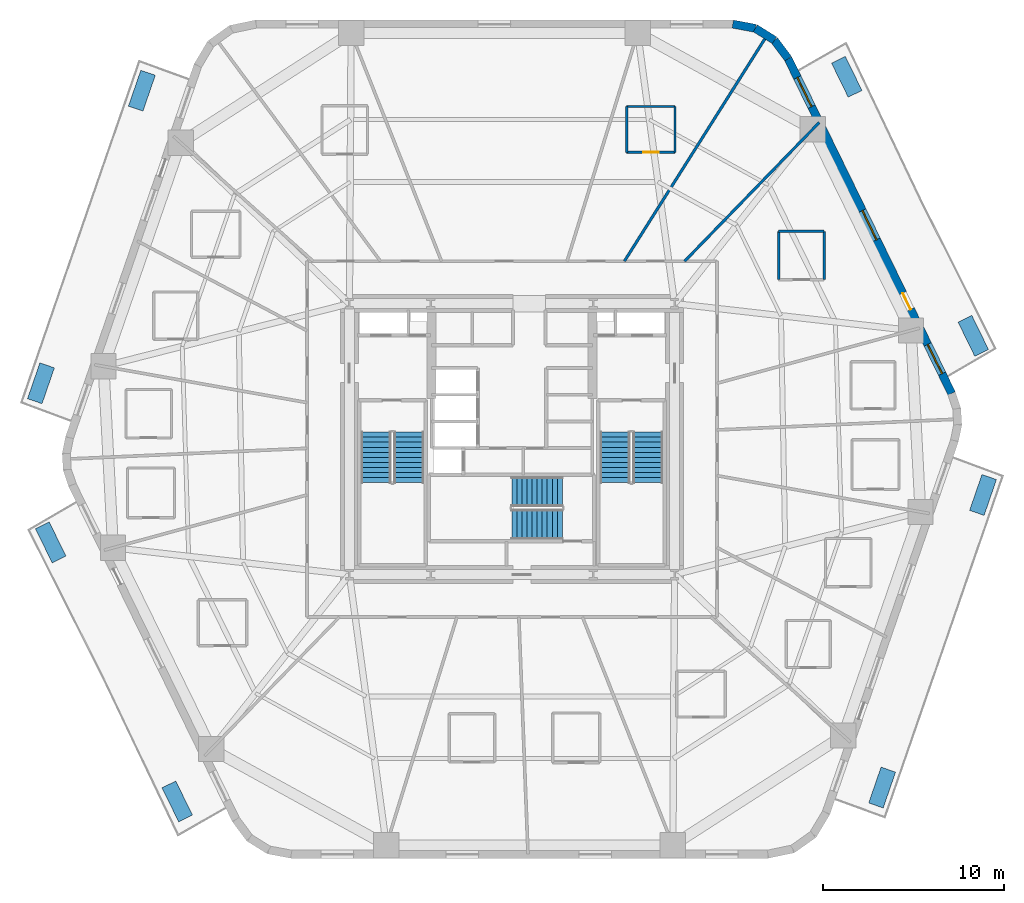
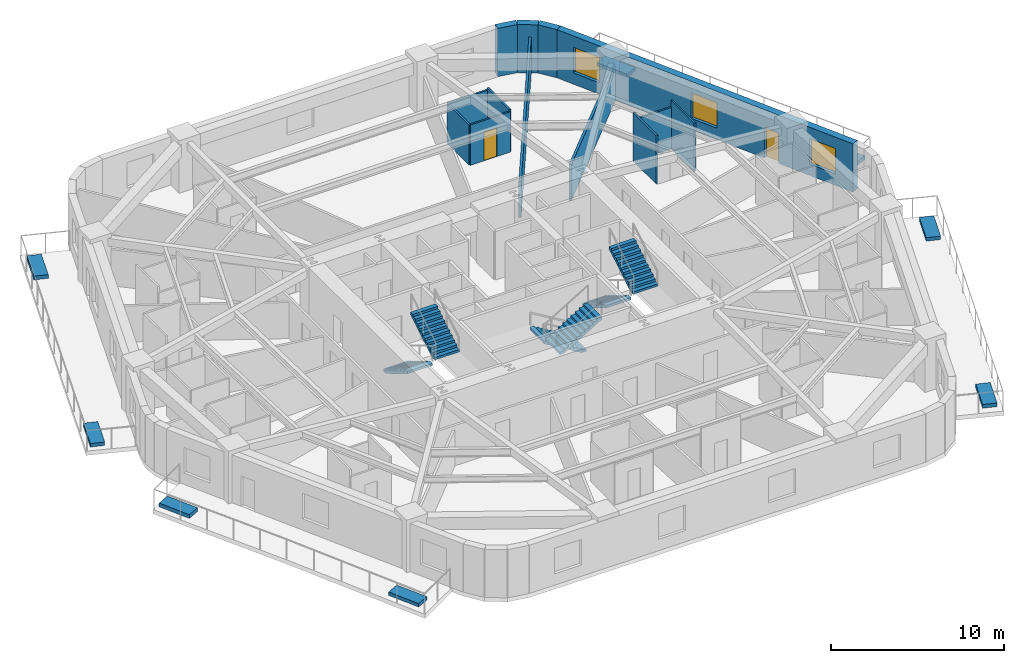
# One storey, part 7 of 10: 13 walls, 8 discrete accessories, 6 stair flights, 3 windows, 2 doors, 5 openings, 3 elements without a shape of their own.
"""IFC4 building model written with IfcOpenShell, lengths in metres."""

from ifc_helpers import new_model, si_unit, direction, frame, frame_2d, origin, origin_2d, place, context, subcontext, project, spatial, polyline, rectangle, outline, extrude, material, layer, layer_set, type_object, element, fill, aggregate, save


model = new_model("IFC4")

# Units and contexts
model_context = context("Model", 3, precision=1e-05, world=origin(), true_north=direction((0.0, 1.0)))
body_context = subcontext(model_context, "Body", "Model", "MODEL_VIEW")
ifc_project = project(units=[si_unit("LENGTHUNIT", "METRE"), si_unit("AREAUNIT", "SQUARE_METRE"), si_unit("VOLUMEUNIT", "CUBIC_METRE"), si_unit("PLANEANGLEUNIT", "RADIAN"), si_unit("MASSUNIT", "GRAM", prefix="KILO")], contexts=[model_context])

# Site, building, storey
site_placement = place(None, origin())
site = spatial("IfcSite", under=ifc_project, at=site_placement, CompositionType="ELEMENT")
building_placement = place(site_placement, origin())
building = spatial("IfcBuilding", under=site, at=building_placement, Name="Kilnhurst Terrace Hotel", CompositionType="ELEMENT")
storey_placement = place(building_placement, frame((0.0, 0.0, 52.699951171875)))
storey = spatial("IfcBuildingStorey", under=building, at=storey_placement, Name="L11", CompositionType="ELEMENT", Elevation=52.699951171875)

# Walls
ifc_material_1 = material(Name="Precast concrete C40/50", Category="concrete")
ifc_layer_1 = layer(ifc_material_1, 0.449951171875, Name="Precast concrete C40/50")
ifc_layer_set_1 = layer_set([ifc_layer_1], Name="Precast concrete C40/50")
wall_type_1 = type_object("IfcWallType", Name="WL-BRK-450", PredefinedType="SOLIDWALL", material=ifc_layer_set_1)
wall_1_placement = place(storey_placement, frame((15.28369140625, 21.0625, 0.0), z_axis=(0.0, 0.0, 1.0), x_axis=(-0.597595366449, 0.801797841104, 0.0)))
element("IfcWall", 1, at=wall_1_placement, inside=storey, type_object=wall_type_1, Name="L11 Rounded Corner Brick Wall C4.1", PredefinedType="SOLIDWALL", context=body_context, shape_type="SweptSolid", body=[
    extrude(rectangle(XDim=1.2685546875, YDim=0.449951171875, at=frame_2d((0.63427734375, 0.0))), origin(), (0.0, 0.0, 1.0), 3.400146484375),
])
wall_2_placement = place(storey_placement, frame((14.525634765625, 22.07958984375, 0.0), z_axis=(0.0, 0.0, 1.0), x_axis=(-0.848185203596, 0.529699783275, 0.0)))
element("IfcWall", 2, at=wall_2_placement, inside=storey, type_object=wall_type_1, Name="L11 Rounded Corner Brick Wall C4.2", PredefinedType="SOLIDWALL", context=body_context, shape_type="SweptSolid", body=[
    extrude(rectangle(XDim=1.247314453125, YDim=0.449951171875, at=frame_2d((0.62353515625, 0.0))), origin(), (0.0, 0.0, 1.0), 3.400146484375),
])
wall_3_placement = place(storey_placement, frame((13.4677734375, 22.740234375, 0.0), z_axis=(0.0, 0.0, 1.0), x_axis=(-0.982717174228, 0.185113358451, 0.0)))
element("IfcWall", 3, at=wall_3_placement, inside=storey, type_object=wall_type_1, Name="L11 Rounded Corner Brick Wall C4.3", PredefinedType="SOLIDWALL", context=body_context, shape_type="SweptSolid", body=[
    extrude(rectangle(XDim=1.268798828125, YDim=0.449951171875, at=frame_2d((0.63427734375, 0.0))), origin(), (0.0, 0.0, 1.0), 3.400146484375),
])

# Wall, openings, door, windows
wall_4_placement = place(storey_placement, frame((24.335693359375, 2.532470703125, 0.0), z_axis=(0.0, 0.0, 1.0), x_axis=(-0.438931326393, 0.898520612291, 0.0)))
wall_4 = element("IfcWall", 4, at=wall_4_placement, inside=storey, type_object=wall_type_1, Name="L11 Exterior Brick Facade Wall F3", PredefinedType="SOLIDWALL", context=body_context, shape_type="SweptSolid", body=[
    extrude(rectangle(XDim=20.622802734375, YDim=0.449951171875, at=frame_2d((10.3115234375, 0.0))), origin(), (0.0, 0.0, 1.0), 3.400146484375),
])
opening_1_placement = place(wall_4_placement, frame((5.1708984375, 0.0, 0.0)))
opening_1 = element("IfcOpeningElement", 5, at=opening_1_placement, cuts=wall_4, Name="Opening BD-1000", PredefinedType="OPENING", context=body_context, shape_type="SweptSolid", body=[
    extrude(rectangle(XDim=1.0, YDim=2.14990234375, at=frame_2d((0.5, 1.074951171875))), frame((0.0, 0.23486328125, 0.0), z_axis=(0.0, -1.0, 0.0), x_axis=(1.0, 0.0, 0.0)), (0.0, 0.0, 1.0), 0.469970703125),
])
opening_2_placement = place(wall_4_placement, frame((1.214111328125, 0.0, 0.800048828125)))
opening_2 = element("IfcOpeningElement", 6, at=opening_2_placement, cuts=wall_4, Name="Opening W-01", PredefinedType="OPENING", context=body_context, shape_type="SweptSolid", body=[
    extrude(rectangle(XDim=1.800048828125, YDim=1.800048828125, at=frame_2d((0.89990234375, 0.89990234375))), frame((0.0, 0.23486328125, 0.0), z_axis=(0.0, -1.0, 0.0), x_axis=(1.0, 0.0, 0.0)), (0.0, 0.0, 1.0), 0.469970703125),
])
opening_3_placement = place(wall_4_placement, frame((9.4619140625, 0.0, 0.800048828125)))
opening_3 = element("IfcOpeningElement", 7, at=opening_3_placement, cuts=wall_4, Name="Opening W-01", PredefinedType="OPENING", context=body_context, shape_type="SweptSolid", body=[
    extrude(rectangle(XDim=1.800048828125, YDim=1.800048828125, at=frame_2d((0.89990234375, 0.89990234375))), frame((0.0, 0.23486328125, 0.0), z_axis=(0.0, -1.0, 0.0), x_axis=(1.0, 0.0, 0.0)), (0.0, 0.0, 1.0), 0.469970703125),
])
opening_4_placement = place(wall_4_placement, frame((17.659912109375, 0.0, 0.800048828125)))
opening_4 = element("IfcOpeningElement", 8, at=opening_4_placement, cuts=wall_4, Name="Opening W-01", PredefinedType="OPENING", context=body_context, shape_type="SweptSolid", body=[
    extrude(rectangle(XDim=1.800048828125, YDim=1.800048828125, at=frame_2d((0.89990234375, 0.89990234375))), frame((0.0, 0.23486328125, 0.0), z_axis=(0.0, -1.0, 0.0), x_axis=(1.0, 0.0, 0.0)), (0.0, 0.0, 1.0), 0.469970703125),
])
ifc_material_2 = material(Name="Thermally Broken Bronze Aluminium Alloy 6063-T6 and Laminated Glass", Category="aluminium")
door_type_1 = type_object("IfcDoorType", Name="DR-EXT-BAL-1000", OperationType="NOTDEFINED", PredefinedType="DOOR", material=ifc_material_2)
door_1_placement = place(opening_1_placement, origin())
door_1 = element("IfcDoor", 9, at=door_1_placement, inside=storey, type_object=door_type_1, Name="L11 Planted Balcony Door BAL-L1B", OperationType="SINGLE_SWING_LEFT", OverallHeight=2.14990234375, OverallWidth=1.0, PredefinedType="DOOR", context=body_context, shape_type="SweptSolid", body=[
    extrude(rectangle(XDim=1.0, YDim=2.14990234375, at=frame_2d((0.5, 1.074951171875))), frame((0.0, 0.02490234375, 0.0), z_axis=(0.0, -1.0, 0.0), x_axis=(1.0, 0.0, 0.0)), (0.0, 0.0, 1.0), 0.050048828125),
])
fill(opening_1, door_1)
ifc_material_3 = material(Name="Thermally Broken Bronze Aluminium Alloy 6063-T6 and Low-E Glass", Category="aluminium")
window_type = type_object("IfcWindowType", Name="WIN-1800X1800", PartitioningType="SINGLE_PANEL", PredefinedType="WINDOW", material=ifc_material_3)
window_1_placement = place(opening_2_placement, origin())
window_1 = element("IfcWindow", 10, at=window_1_placement, inside=storey, type_object=window_type, Name="L11 Deep-Set Masonry Window F3.1", OverallHeight=1.800048828125, OverallWidth=1.800048828125, PartitioningType="SINGLE_PANEL", PredefinedType="WINDOW", context=body_context, shape_type="SweptSolid", body=[
    extrude(rectangle(XDim=1.800048828125, YDim=1.800048828125, at=frame_2d((0.89990234375, 0.89990234375))), frame((0.0, 0.030029296875, 0.0), z_axis=(0.0, -1.0, 0.0), x_axis=(1.0, 0.0, 0.0)), (0.0, 0.0, 1.0), 0.06005859375),
])
fill(opening_2, window_1)
window_2_placement = place(opening_3_placement, origin())
window_2 = element("IfcWindow", 11, at=window_2_placement, inside=storey, type_object=window_type, Name="L11 Deep-Set Masonry Window F3.2", OverallHeight=1.800048828125, OverallWidth=1.800048828125, PartitioningType="SINGLE_PANEL", PredefinedType="WINDOW", context=body_context, shape_type="SweptSolid", body=[
    extrude(rectangle(XDim=1.800048828125, YDim=1.800048828125, at=frame_2d((0.89990234375, 0.89990234375))), frame((0.0, 0.030029296875, 0.0), z_axis=(0.0, -1.0, 0.0), x_axis=(1.0, 0.0, 0.0)), (0.0, 0.0, 1.0), 0.06005859375),
])
fill(opening_3, window_2)
window_3_placement = place(opening_4_placement, origin())
window_3 = element("IfcWindow", 12, at=window_3_placement, inside=storey, type_object=window_type, Name="L11 Deep-Set Masonry Window F3.3", OverallHeight=1.800048828125, OverallWidth=1.800048828125, PartitioningType="SINGLE_PANEL", PredefinedType="WINDOW", context=body_context, shape_type="SweptSolid", body=[
    extrude(rectangle(XDim=1.800048828125, YDim=1.800048828125, at=frame_2d((0.89990234375, 0.89990234375))), frame((0.0, 0.030029296875, 0.0), z_axis=(0.0, -1.0, 0.0), x_axis=(1.0, 0.0, 0.0)), (0.0, 0.0, 1.0), 0.06005859375),
])
fill(opening_4, window_3)

# Walls
ifc_material_4 = material(Name="STC-58 Acoustic Twin-Frame Guestroom Demising Partition")
ifc_layer_2 = layer(ifc_material_4, 0.14990234375, Name="STC-58 Acoustic Twin-Frame Guestroom Demising Partition")
ifc_layer_set_2 = layer_set([ifc_layer_2], Name="STC-58 Acoustic Twin-Frame Guestroom Demising Partition")
wall_type_2 = type_object("IfcWallType", Name="WL-DEM-150", PredefinedType="PARTITIONING", material=ifc_layer_set_2)
wall_5_placement = place(storey_placement, frame((9.5576171875, 9.85009765625, 0.0), z_axis=(0.0, 0.0, 1.0), x_axis=(0.69638346089, 0.717669893056, 0.0)))
element("IfcWall", 13, at=wall_5_placement, inside=storey, type_object=wall_type_2, Name="L11 Interior Wall WL-L11-DEM-COL02-03-1", PredefinedType="PARTITIONING", context=body_context, shape_type="SweptSolid", body=[
    extrude(rectangle(XDim=10.700927734375, YDim=0.14990234375, at=frame_2d((5.3505859375, 0.0))), origin(), (0.0, 0.0, 1.0), 2.5400390625),
])
wall_6_placement = place(storey_placement, frame((6.222412109375, 9.85009765625, 0.0), z_axis=(0.0, 0.0, 1.0), x_axis=(0.534069056435, 0.845440857162, 0.0)))
element("IfcWall", 14, at=wall_6_placement, inside=storey, type_object=wall_type_2, Name="L11 Interior Wall WL-L11-DEM-MID02-04-1", PredefinedType="PARTITIONING", context=body_context, shape_type="SweptSolid", body=[
    extrude(rectangle(XDim=14.611328125, YDim=0.14990234375, at=frame_2d((7.3056640625, 0.0))), origin(), (0.0, 0.0, 1.0), 2.5400390625),
])
ifc_material_5 = material(Name="120 mm Moisture-Resistant Tile-Backed Bathroom Partition")
ifc_layer_3 = layer(ifc_material_5, 0.1201171875, Name="120 mm Moisture-Resistant Tile-Backed Bathroom Partition")
ifc_layer_set_3 = layer_set([ifc_layer_3], Name="120 mm Moisture-Resistant Tile-Backed Bathroom Partition")
wall_type_3 = type_object("IfcWallType", Name="WL-PART-120", PredefinedType="PARTITIONING", material=ifc_layer_set_3)
wall_7_placement = place(storey_placement, frame((17.283935546875, 8.824951171875, 0.0), z_axis=(0.0, 0.0, 1.0), x_axis=(0.0, 1.0, 0.0)))
element("IfcWall", 15, at=wall_7_placement, inside=storey, type_object=wall_type_3, Name="L11 Interior Wall WL-L11-BTH-02-2", PredefinedType="PARTITIONING", context=body_context, shape_type="SweptSolid", body=[
    extrude(rectangle(XDim=2.679931640625, YDim=0.1201171875, at=frame_2d((1.33984375, 0.0))), origin(), (0.0, 0.0, 1.0), 3.400146484375),
])
wall_8_placement = place(storey_placement, frame((17.283935546875, 11.5048828125, 0.0), z_axis=(0.0, 0.0, 1.0), x_axis=(-1.0, 0.0, 0.0)))
element("IfcWall", 16, at=wall_8_placement, inside=storey, type_object=wall_type_3, Name="L11 Interior Wall WL-L11-BTH-02-3", PredefinedType="PARTITIONING", context=body_context, shape_type="SweptSolid", body=[
    extrude(rectangle(XDim=2.52001953125, YDim=0.1201171875, at=frame_2d((1.260009765625, 0.0))), origin(), (0.0, 0.0, 1.0), 2.926513671875),
])
wall_9_placement = place(storey_placement, frame((14.763916015625, 11.5048828125, 0.0), z_axis=(0.0, 0.0, 1.0), x_axis=(0.0, -1.0, 0.0)))
element("IfcWall", 17, at=wall_9_placement, inside=storey, type_object=wall_type_3, Name="L11 Interior Wall WL-L11-BTH-02-4", PredefinedType="PARTITIONING", context=body_context, shape_type="SweptSolid", body=[
    extrude(rectangle(XDim=2.679931640625, YDim=0.1201171875, at=frame_2d((1.33984375, 0.0))), origin(), (0.0, 0.0, 1.0), 3.400146484375),
])

# Wall, opening, door
wall_10_placement = place(storey_placement, frame((6.35107421875, 15.876953125, 0.0), z_axis=(0.0, 0.0, 1.0), x_axis=(1.0, 0.0, 0.0)))
wall_10 = element("IfcWall", 18, at=wall_10_placement, inside=storey, type_object=wall_type_3, Name="L11 Interior Wall WL-L11-BTH-04-1", PredefinedType="PARTITIONING", context=body_context, shape_type="SweptSolid", body=[
    extrude(rectangle(XDim=2.679931640625, YDim=0.1201171875, at=frame_2d((1.33984375, 0.0))), origin(), (0.0, 0.0, 1.0), 2.840087890625),
])
opening_5_placement = place(wall_10_placement, frame((0.9150390625, 0.0, 0.0)))
opening_5 = element("IfcOpeningElement", 19, at=opening_5_placement, cuts=wall_10, Name="Opening D-08A", PredefinedType="OPENING", context=body_context, shape_type="SweptSolid", body=[
    extrude(rectangle(XDim=0.85009765625, YDim=2.030029296875, at=frame_2d((0.425048828125, 1.01513671875))), frame((0.0, 0.070068359375, 0.0), z_axis=(0.0, -1.0, 0.0), x_axis=(1.0, 0.0, 0.0)), (0.0, 0.0, 1.0), 0.14013671875),
])
ifc_material_6 = material(Name="Moisture-Resistant Lacquered En-suite Bathroom Door")
door_type_2 = type_object("IfcDoorType", Name="DR-INT-850", OperationType="NOTDEFINED", PredefinedType="DOOR", material=ifc_material_6)
door_2_placement = place(opening_5_placement, origin())
door_2 = element("IfcDoor", 20, at=door_2_placement, inside=storey, type_object=door_type_2, Name="L11 En-suite Bathroom Door 4", OperationType="SINGLE_SWING_LEFT", OverallHeight=2.030029296875, OverallWidth=0.85009765625, PredefinedType="DOOR", context=body_context, shape_type="SweptSolid", body=[
    extrude(rectangle(XDim=0.85009765625, YDim=2.030029296875, at=frame_2d((0.425048828125, 1.01513671875))), frame((0.0, 0.02490234375, 0.0), z_axis=(0.0, -1.0, 0.0), x_axis=(1.0, 0.0, 0.0)), (0.0, 0.0, 1.0), 0.050048828125),
])
fill(opening_5, door_2)

# Walls
wall_11_placement = place(storey_placement, frame((9.031005859375, 15.876953125, 0.0), z_axis=(0.0, 0.0, 1.0), x_axis=(0.0, 1.0, 0.0)))
element("IfcWall", 21, at=wall_11_placement, inside=storey, type_object=wall_type_3, Name="L11 Interior Wall WL-L11-BTH-04-2", PredefinedType="PARTITIONING", context=body_context, shape_type="SweptSolid", body=[
    extrude(rectangle(XDim=2.5400390625, YDim=0.1201171875, at=frame_2d((1.27001953125, 0.0))), origin(), (0.0, 0.0, 1.0), 2.972412109375),
])
wall_12_placement = place(storey_placement, frame((9.031005859375, 18.4169921875, 0.0), z_axis=(0.0, 0.0, 1.0), x_axis=(-1.0, 0.0, 0.0)))
element("IfcWall", 22, at=wall_12_placement, inside=storey, type_object=wall_type_3, Name="L11 Interior Wall WL-L11-BTH-04-3", PredefinedType="PARTITIONING", context=body_context, shape_type="SweptSolid", body=[
    extrude(rectangle(XDim=2.679931640625, YDim=0.1201171875, at=frame_2d((1.33984375, 0.0))), origin(), (0.0, 0.0, 1.0), 2.840087890625),
])
wall_13_placement = place(storey_placement, frame((6.35107421875, 18.4169921875, 0.0), z_axis=(0.0, 0.0, 1.0), x_axis=(0.0, -1.0, 0.0)))
element("IfcWall", 23, at=wall_13_placement, inside=storey, type_object=wall_type_3, Name="L11 Interior Wall WL-L11-BTH-04-4", PredefinedType="PARTITIONING", context=body_context, shape_type="SweptSolid", body=[
    extrude(rectangle(XDim=2.5400390625, YDim=0.1201171875, at=frame_2d((1.27001953125, 0.0))), origin(), (0.0, 0.0, 1.0), 2.840576171875),
])

# Stair, stair flights
ifc_material_7 = material(Name="Concrete C50/60", Category="concrete")
stair_type = type_object("IfcStairType", Name="STR-CORE-1660", PredefinedType="HALF_TURN_STAIR", material=ifc_material_7)
stair_1_placement = place(storey_placement, origin())
stair_1 = element("IfcStair", 24, at=stair_1_placement, inside=storey, type_object=stair_type, Name="L11 ST-1", PredefinedType="HALF_TURN_STAIR")
stair_flight_type = type_object("IfcStairFlightType", Name="FLT-RC-1660", PredefinedType="STRAIGHT", material=ifc_material_7)
stair_flight_1_placement = place(storey_placement, frame((-7.52001953125, 0.389892578125, 0.0), z_axis=(0.0, 0.0, 1.0), x_axis=(0.0, -1.0, 0.0)))
stair_flight_1 = element("IfcStairFlight", 25, at=stair_flight_1_placement, type_object=stair_flight_type, Name="ST-1 flight 1", NumberOfRisers=11, NumberOfTreads=10, PredefinedType="STRAIGHT", RiserHeight=0.168181818, TreadLength=0.28, context=body_context, shape_type="SweptSolid", body=[
    extrude(outline(polyline([(0.0, 0.0), (0.0, 0.168212890625), (0.280029296875, 0.168212890625), (0.280029296875, 0.33642578125), (0.56005859375, 0.33642578125), (0.56005859375, 0.504638671875), (0.840087890625, 0.504638671875), (0.840087890625, 0.672607421875), (1.1201171875, 0.672607421875), (1.1201171875, 0.8408203125), (1.39990234375, 0.8408203125), (1.39990234375, 1.009033203125), (1.679931640625, 1.009033203125), (1.679931640625, 1.17724609375), (1.9599609375, 1.17724609375), (1.9599609375, 1.345458984375), (2.239990234375, 1.345458984375), (2.239990234375, 1.513671875), (2.52001953125, 1.513671875), (2.52001953125, 1.681884765625), (2.800048828125, 1.681884765625), (2.800048828125, 1.85009765625), (2.800048828125, 1.5068359375), (0.291015625, 0.0), (0.0, 0.0)])), frame((0.0, 0.830078125, 0.0), z_axis=(0.0, -1.0, 0.0), x_axis=(1.0, 0.0, 0.0)), (0.0, 0.0, 1.0), 1.659912109375),
])
stair_flight_2_placement = place(storey_placement, frame((-5.7099609375, -2.409912109375, 1.85009765625), z_axis=(0.0, 0.0, 1.0), x_axis=(0.0, 1.0, 0.0)))
stair_flight_2 = element("IfcStairFlight", 26, at=stair_flight_2_placement, type_object=stair_flight_type, Name="ST-1 flight 2", NumberOfRisers=11, NumberOfTreads=10, PredefinedType="STRAIGHT", RiserHeight=0.168181818, TreadLength=0.28, context=body_context, shape_type="SweptSolid", body=[
    extrude(outline(polyline([(0.0, 0.0), (0.0, 0.168212890625), (0.280029296875, 0.168212890625), (0.280029296875, 0.33642578125), (0.56005859375, 0.33642578125), (0.56005859375, 0.504638671875), (0.840087890625, 0.504638671875), (0.840087890625, 0.672607421875), (1.1201171875, 0.672607421875), (1.1201171875, 0.8408203125), (1.39990234375, 0.8408203125), (1.39990234375, 1.009033203125), (1.679931640625, 1.009033203125), (1.679931640625, 1.17724609375), (1.9599609375, 1.17724609375), (1.9599609375, 1.345458984375), (2.239990234375, 1.345458984375), (2.239990234375, 1.513671875), (2.52001953125, 1.513671875), (2.52001953125, 1.681884765625), (2.800048828125, 1.681884765625), (2.800048828125, 1.85009765625), (2.800048828125, 1.5068359375), (0.291015625, 0.0), (0.0, 0.0)])), frame((0.0, 0.830078125, 0.0), z_axis=(0.0, -1.0, 0.0), x_axis=(1.0, 0.0, 0.0)), (0.0, 0.0, 1.0), 1.659912109375),
])
aggregate(stair_1, [stair_flight_1, stair_flight_2])

stair_2_placement = place(storey_placement, origin())
stair_2 = element("IfcStair", 27, at=stair_2_placement, inside=storey, type_object=stair_type, Name="L11 ST-2", PredefinedType="HALF_TURN_STAIR")
stair_flight_3_placement = place(storey_placement, frame((5.7099609375, 0.389892578125, 0.0), z_axis=(0.0, 0.0, 1.0), x_axis=(0.0, -1.0, 0.0)))
stair_flight_3 = element("IfcStairFlight", 28, at=stair_flight_3_placement, type_object=stair_flight_type, Name="ST-2 flight 1", NumberOfRisers=11, NumberOfTreads=10, PredefinedType="STRAIGHT", RiserHeight=0.168181818, TreadLength=0.28, context=body_context, shape_type="SweptSolid", body=[
    extrude(outline(polyline([(0.0, 0.0), (0.0, 0.168212890625), (0.280029296875, 0.168212890625), (0.280029296875, 0.33642578125), (0.56005859375, 0.33642578125), (0.56005859375, 0.504638671875), (0.840087890625, 0.504638671875), (0.840087890625, 0.672607421875), (1.1201171875, 0.672607421875), (1.1201171875, 0.8408203125), (1.39990234375, 0.8408203125), (1.39990234375, 1.009033203125), (1.679931640625, 1.009033203125), (1.679931640625, 1.17724609375), (1.9599609375, 1.17724609375), (1.9599609375, 1.345458984375), (2.239990234375, 1.345458984375), (2.239990234375, 1.513671875), (2.52001953125, 1.513671875), (2.52001953125, 1.681884765625), (2.800048828125, 1.681884765625), (2.800048828125, 1.85009765625), (2.800048828125, 1.5068359375), (0.291015625, 0.0), (0.0, 0.0)])), frame((0.0, 0.830078125, 0.0), z_axis=(0.0, -1.0, 0.0), x_axis=(1.0, 0.0, 0.0)), (0.0, 0.0, 1.0), 1.659912109375),
])
stair_flight_4_placement = place(storey_placement, frame((7.52001953125, -2.409912109375, 1.85009765625), z_axis=(0.0, 0.0, 1.0), x_axis=(0.0, 1.0, 0.0)))
stair_flight_4 = element("IfcStairFlight", 29, at=stair_flight_4_placement, type_object=stair_flight_type, Name="ST-2 flight 2", NumberOfRisers=11, NumberOfTreads=10, PredefinedType="STRAIGHT", RiserHeight=0.168181818, TreadLength=0.28, context=body_context, shape_type="SweptSolid", body=[
    extrude(outline(polyline([(0.0, 0.0), (0.0, 0.168212890625), (0.280029296875, 0.168212890625), (0.280029296875, 0.33642578125), (0.56005859375, 0.33642578125), (0.56005859375, 0.504638671875), (0.840087890625, 0.504638671875), (0.840087890625, 0.672607421875), (1.1201171875, 0.672607421875), (1.1201171875, 0.8408203125), (1.39990234375, 0.8408203125), (1.39990234375, 1.009033203125), (1.679931640625, 1.009033203125), (1.679931640625, 1.17724609375), (1.9599609375, 1.17724609375), (1.9599609375, 1.345458984375), (2.239990234375, 1.345458984375), (2.239990234375, 1.513671875), (2.52001953125, 1.513671875), (2.52001953125, 1.681884765625), (2.800048828125, 1.681884765625), (2.800048828125, 1.85009765625), (2.800048828125, 1.5068359375), (0.291015625, 0.0), (0.0, 0.0)])), frame((0.0, 0.830078125, 0.0), z_axis=(0.0, -1.0, 0.0), x_axis=(1.0, 0.0, 0.0)), (0.0, 0.0, 1.0), 1.659912109375),
])
aggregate(stair_2, [stair_flight_3, stair_flight_4])

stair_3_placement = place(storey_placement, origin())
stair_3 = element("IfcStair", 30, at=stair_3_placement, inside=storey, type_object=stair_type, Name="L11 ST-3", PredefinedType="HALF_TURN_STAIR")
stair_flight_5_placement = place(storey_placement, frame((2.7900390625, -2.909912109375, 0.0), z_axis=(0.0, 0.0, 1.0), x_axis=(-1.0, 0.0, 0.0)))
stair_flight_5 = element("IfcStairFlight", 31, at=stair_flight_5_placement, type_object=stair_flight_type, Name="ST-3 flight 1", NumberOfRisers=11, NumberOfTreads=10, PredefinedType="STRAIGHT", RiserHeight=0.168181818, TreadLength=0.28, context=body_context, shape_type="SweptSolid", body=[
    extrude(outline(polyline([(0.0, 0.0), (0.0, 0.168212890625), (0.280029296875, 0.168212890625), (0.280029296875, 0.33642578125), (0.56005859375, 0.33642578125), (0.56005859375, 0.504638671875), (0.840087890625, 0.504638671875), (0.840087890625, 0.672607421875), (1.1201171875, 0.672607421875), (1.1201171875, 0.8408203125), (1.39990234375, 0.8408203125), (1.39990234375, 1.009033203125), (1.679931640625, 1.009033203125), (1.679931640625, 1.17724609375), (1.9599609375, 1.17724609375), (1.9599609375, 1.345458984375), (2.239990234375, 1.345458984375), (2.239990234375, 1.513671875), (2.52001953125, 1.513671875), (2.52001953125, 1.681884765625), (2.800048828125, 1.681884765625), (2.800048828125, 1.85009765625), (2.800048828125, 1.5068359375), (0.291015625, 0.0), (0.0, 0.0)])), frame((0.0, 0.830078125, 0.0), z_axis=(0.0, -1.0, 0.0), x_axis=(1.0, 0.0, 0.0)), (0.0, 0.0, 1.0), 1.659912109375),
])
stair_flight_6_placement = place(storey_placement, frame((-0.010009765625, -4.719970703125, 1.85009765625), z_axis=(0.0, 0.0, 1.0), x_axis=(1.0, 0.0, 0.0)))
stair_flight_6 = element("IfcStairFlight", 32, at=stair_flight_6_placement, type_object=stair_flight_type, Name="ST-3 flight 2", NumberOfRisers=11, NumberOfTreads=10, PredefinedType="STRAIGHT", RiserHeight=0.168181818, TreadLength=0.28, context=body_context, shape_type="SweptSolid", body=[
    extrude(outline(polyline([(0.0, 0.0), (0.0, 0.168212890625), (0.280029296875, 0.168212890625), (0.280029296875, 0.33642578125), (0.56005859375, 0.33642578125), (0.56005859375, 0.504638671875), (0.840087890625, 0.504638671875), (0.840087890625, 0.672607421875), (1.1201171875, 0.672607421875), (1.1201171875, 0.8408203125), (1.39990234375, 0.8408203125), (1.39990234375, 1.009033203125), (1.679931640625, 1.009033203125), (1.679931640625, 1.17724609375), (1.9599609375, 1.17724609375), (1.9599609375, 1.345458984375), (2.239990234375, 1.345458984375), (2.239990234375, 1.513671875), (2.52001953125, 1.513671875), (2.52001953125, 1.681884765625), (2.800048828125, 1.681884765625), (2.800048828125, 1.85009765625), (2.800048828125, 1.5068359375), (0.291015625, 0.0), (0.0, 0.0)])), frame((0.0, 0.830078125, 0.0), z_axis=(0.0, -1.0, 0.0), x_axis=(1.0, 0.0, 0.0)), (0.0, 0.0, 1.0), 1.659912109375),
])
aggregate(stair_3, [stair_flight_5, stair_flight_6])

# Discrete accessories
ifc_material_8 = material(Name="Precast Concrete C40/50 Shrub Planter", Category="concrete")
discrete_accessory_type_1 = type_object("IfcDiscreteAccessoryType", Name="PLN-SHRUB-240", PredefinedType="USERDEFINED", material=ifc_material_8)
for number, where, z_axis, x_axis, name in (
    (33, (26.073486328125, -3.09130859375, 0.0), (0.0, 0.0, 1.0), (0.326063182175, 0.94534797891, 0.0), "L11 Structural Tree Planter Box PLANTER BAL-L1A.2"),
    (34, (18.52978515625, 20.05615234375, 0.0), (0.0, 0.0, 1.0), (-0.438935789176, 0.898518432188, 0.0), "L11 Structural Tree Planter Box PLANTER BAL-L1B.2"),
    (35, (-26.073486328125, 3.09130859375, 0.0), (0.0, 0.0, 1.0), (-0.326063182175, -0.94534797891, 0.0), "L11 Structural Tree Planter Box PLANTER BAL-L2A.2"),
    (36, (-18.52978515625, -20.05615234375, 0.0), (0.0, 0.0, 1.0), (0.438935789176, -0.898518432188, 0.0), "L11 Structural Tree Planter Box PLANTER BAL-L2B.2"),
):
    element("IfcDiscreteAccessory", number, at=place(storey_placement, frame(where, z_axis=z_axis, x_axis=x_axis)), inside=storey, type_object=discrete_accessory_type_1, Name=name, ObjectType="PLANTER", PredefinedType="USERDEFINED", context=body_context, shape_type="SweptSolid", body=[
        extrude(rectangle(XDim=2.10009765625, YDim=0.85009765625, at=origin_2d()), origin(), (0.0, 0.0, 1.0), 0.239990234375),
    ])
ifc_material_9 = material(Name="Precast Concrete C40/50 Tree Planter", Category="concrete")
discrete_accessory_type_2 = type_object("IfcDiscreteAccessoryType", Name="PLN-TREE-260", PredefinedType="USERDEFINED", material=ifc_material_9)
for number, where, z_axis, x_axis, name in (
    (37, (20.488037109375, -19.285888671875, 0.0), (0.0, 0.0, 1.0), (0.326063182175, 0.94534797891, 0.0), "L11 Structural Tree Planter Box PLANTER BAL-L1A.1"),
    (38, (25.534423828125, 5.717041015625, 0.0), (0.0, 0.0, 1.0), (-0.438935789176, 0.898518432188, 0.0), "L11 Structural Tree Planter Box PLANTER BAL-L1B.1"),
    (39, (-20.488037109375, 19.285888671875, 0.0), (0.0, 0.0, 1.0), (-0.326063182175, -0.94534797891, 0.0), "L11 Structural Tree Planter Box PLANTER BAL-L2A.1"),
    (40, (-25.534423828125, -5.717041015625, 0.0), (0.0, 0.0, 1.0), (0.438935789176, -0.898518432188, 0.0), "L11 Structural Tree Planter Box PLANTER BAL-L2B.1"),
):
    element("IfcDiscreteAccessory", number, at=place(storey_placement, frame(where, z_axis=z_axis, x_axis=x_axis)), inside=storey, type_object=discrete_accessory_type_2, Name=name, ObjectType="PLANTER", PredefinedType="USERDEFINED", context=body_context, shape_type="SweptSolid", body=[
        extrude(rectangle(XDim=2.10009765625, YDim=0.85009765625, at=origin_2d()), origin(), (0.0, 0.0, 1.0), 0.260009765625),
    ])

save(model, "model.ifc")
